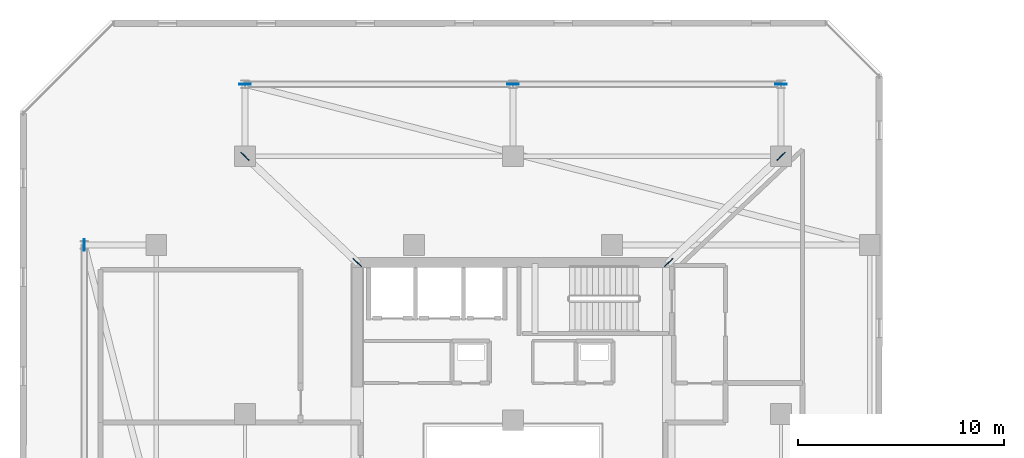
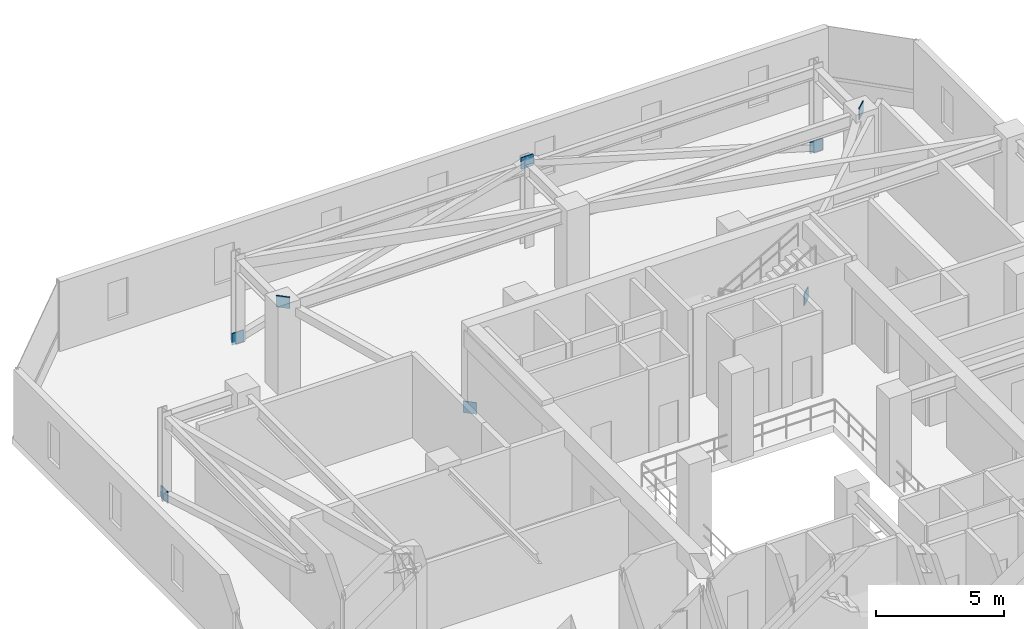
# One storey, part 30 of 42: 8 plates.
"""IFC4 building model written with IfcOpenShell, lengths in metres."""

from ifc_helpers import new_model, si_unit, direction, frame, origin, origin_2d, place, context, subcontext, project, spatial, rectangle, extrude, material, layer, layer_set, type_object, element, save


model = new_model("IFC4")

# Units and contexts
model_context = context("Model", 3, precision=1e-05, world=origin(), true_north=direction((0.0, 1.0)))
body_context = subcontext(model_context, "Body", "Model", "MODEL_VIEW")
ifc_project = project(units=[si_unit("LENGTHUNIT", "METRE"), si_unit("AREAUNIT", "SQUARE_METRE"), si_unit("VOLUMEUNIT", "CUBIC_METRE"), si_unit("PLANEANGLEUNIT", "RADIAN"), si_unit("MASSUNIT", "GRAM", prefix="KILO")], contexts=[model_context])

# Site, building, storey
site_placement = place(None, origin())
site = spatial("IfcSite", under=ifc_project, at=site_placement, CompositionType="ELEMENT")
building_placement = place(site_placement, origin())
building = spatial("IfcBuilding", under=site, at=building_placement, Name="Thornwick Lancets Civic Towers", CompositionType="ELEMENT")
storey_placement = place(building_placement, frame((0.0, 0.0, 221.699951171875)))
storey = spatial("IfcBuildingStorey", under=building, at=storey_placement, Name="L59", CompositionType="ELEMENT", Elevation=221.699951171875)

# Plates
ifc_material = material(Name="Steel S460M", Category="steel")
ifc_layer = layer(ifc_material, 0.0400390625, Name="Steel S460M")
ifc_layer_set = layer_set([ifc_layer], Name="Steel S460M")
plate_type = type_object("IfcPlateType", Name="PLT_GUSSET_40", PredefinedType="USERDEFINED", material=ifc_layer_set)
for number, where, z_axis, x_axis, name in (
    (1, (12.5, 47.800048828125, -0.125), (0.0, 0.0, 1.0), (1.0, 0.0, 0.0), "L59 Brace Connection Gusset Plate 0342"),
    (2, (25.5, 47.800048828125, 3.68505859375), (0.0, 0.0, 1.0), (1.0, 0.0, 0.0), "L59 Brace Connection Gusset Plate 0343"),
    (3, (38.5, 47.800048828125, -0.125), (0.0, 0.0, 1.0), (-1.0, 0.0, 0.0), "L59 Brace Connection Gusset Plate 0344"),
    (4, (4.699951171875, 40.0, -0.125), (0.0, 0.0, 1.0), (0.0, -1.0, 0.0), "L59 Brace Connection Gusset Plate 0347"),
    (5, (33.050048828125, 39.14990234375, -0.125), (0.0, 0.0, 1.0), (0.726814465487, 0.686833846544, 0.0), "L59 Brace Connection Gusset Plate 0352"),
    (6, (38.5, 44.300048828125, 3.68505859375), (0.0, 0.0, 1.0), (0.726814465487, 0.686833846544, 0.0), "L59 Brace Connection Gusset Plate 0353"),
    (7, (17.949951171875, 39.14990234375, -0.125), (0.0, 0.0, 1.0), (-0.726814465487, 0.686833846544, 0.0), "L59 Brace Connection Gusset Plate 0354"),
    (8, (12.5, 44.300048828125, 3.68505859375), (0.0, 0.0, 1.0), (-0.726814465487, 0.686833846544, 0.0), "L59 Brace Connection Gusset Plate 0355"),
):
    element("IfcPlate", number, at=place(storey_placement, frame(where, z_axis=z_axis, x_axis=x_axis)), inside=storey, type_object=plate_type, Name=name, ObjectType="GUSSET_PLATE", PredefinedType="USERDEFINED", context=body_context, shape_type="SweptSolid", body=[
        extrude(rectangle(XDim=0.550048828125, YDim=0.0400390625, at=origin_2d()), origin(), (0.0, 0.0, 1.0), 0.550048828125),
    ])

save(model, "model.ifc")
